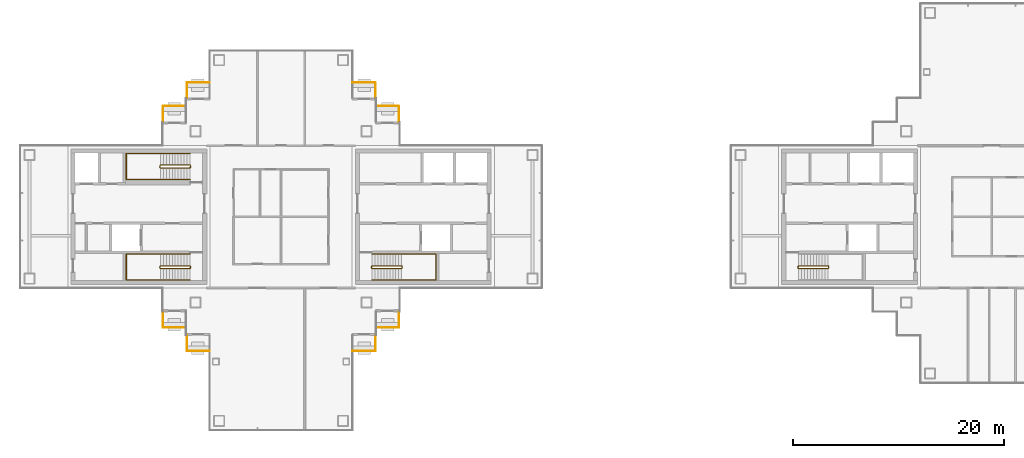
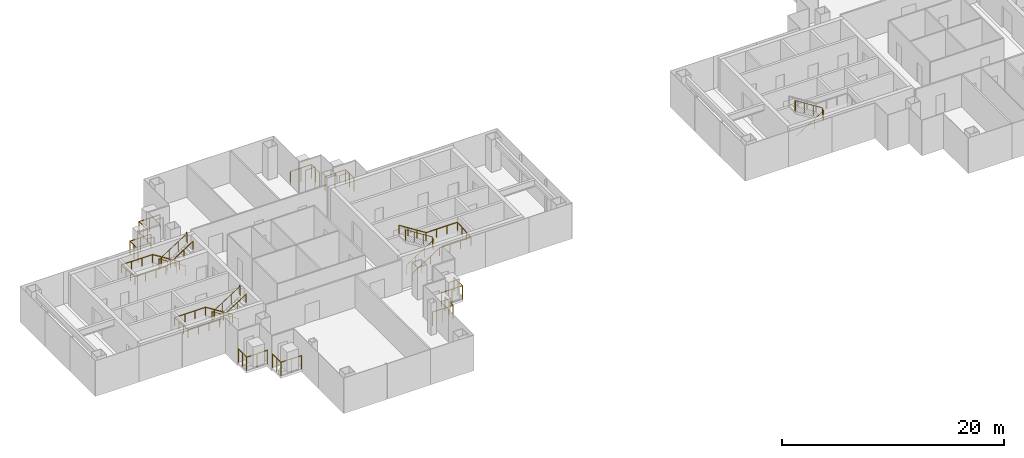
# One storey, part 13 of 15: 15 railings.
"""IFC4 building model written with IfcOpenShell, lengths in metres."""

from ifc_helpers import new_model, si_unit, direction, frame, origin, origin_2d, place, context, subcontext, project, spatial, circle, extrude, material, type_object, element, save


model = new_model("IFC4")

# Units and contexts
model_context = context("Model", 3, precision=1e-05, world=origin(), true_north=direction((0.0, 1.0)))
body_context = subcontext(model_context, "Body", "Model", "MODEL_VIEW")
ifc_project = project(units=[si_unit("LENGTHUNIT", "METRE"), si_unit("AREAUNIT", "SQUARE_METRE"), si_unit("VOLUMEUNIT", "CUBIC_METRE"), si_unit("PLANEANGLEUNIT", "RADIAN"), si_unit("MASSUNIT", "GRAM", prefix="KILO")], contexts=[model_context])

# Site, building, storey
site_placement = place(None, origin())
site = spatial("IfcSite", under=ifc_project, at=site_placement, CompositionType="ELEMENT")
building_placement = place(site_placement, origin())
building = spatial("IfcBuilding", under=site, at=building_placement, Name="Shamsa Quay Exchange Towers", CompositionType="ELEMENT")
storey_placement = place(building_placement, frame((0.0, 0.0, 202.199951171875)))
storey = spatial("IfcBuildingStorey", under=building, at=storey_placement, Name="L48", CompositionType="ELEMENT", Elevation=202.199951171875)

# Railings
ifc_material_1 = material(Name="Steel S355, black powder-coated", Category="steel")
railing_type_1 = type_object("IfcRailingType", Name="BALCONY GUARD 1500", PredefinedType="GUARDRAIL", material=ifc_material_1)
for number, where, name in (
    (1, (-22.550048828125, 9.02099609375, 0.0), "Balcony guard T1-PKEN L48"),
    (2, (-24.800048828125, 11.27099609375, 0.0), "Balcony guard T1-PKEN L48"),
):
    element("IfcRailing", number, at=place(storey_placement, frame(where)), inside=storey, type_object=railing_type_1, Name=name, PredefinedType="GUARDRAIL", context=body_context, shape_type="SweptSolid", body=[
        extrude(circle(Radius=0.02392578125, at=origin_2d()), frame((0.0, 0.0, 1.47607421875), z_axis=(0.0, 1.0, 0.0), x_axis=(-1.0, 0.0, 0.0)), (0.0, 0.0, 1.0), 1.47900390625),
        extrude(circle(Radius=0.02392578125, at=origin_2d()), frame((0.0, 1.47900390625, 1.47607421875), z_axis=(-1.0, 0.0, 0.0), x_axis=(0.0, -1.0, 0.0)), (0.0, 0.0, 1.0), 2.161865234375),
        extrude(circle(Radius=0.02099609375, at=origin_2d()), origin(), (0.0, 0.0, 1.0), 1.451904296875),
        extrude(circle(Radius=0.02099609375, at=origin_2d()), frame((0.0, 0.739501953125, 0.0)), (0.0, 0.0, 1.0), 1.451904296875),
        extrude(circle(Radius=0.02099609375, at=origin_2d()), frame((0.0, 1.47900390625, 0.0)), (0.0, 0.0, 1.0), 1.451904296875),
        extrude(circle(Radius=0.02099609375, at=origin_2d()), frame((-1.0810546875, 1.47900390625, 0.0)), (0.0, 0.0, 1.0), 1.451904296875),
        extrude(circle(Radius=0.02099609375, at=origin_2d()), frame((-2.161865234375, 1.47900390625, 0.0)), (0.0, 0.0, 1.0), 1.451904296875),
    ])
for number, where, name in (
    (3, (-24.7119140625, -10.5, 0.0), "Balcony guard T1-PKES L48"),
    (4, (-26.9619140625, -12.75, 0.0), "Balcony guard T1-PKES L48"),
):
    element("IfcRailing", number, at=place(storey_placement, frame(where)), inside=storey, type_object=railing_type_1, Name=name, PredefinedType="GUARDRAIL", context=body_context, shape_type="SweptSolid", body=[
        extrude(circle(Radius=0.02392578125, at=origin_2d()), frame((0.0, 0.0, 1.47607421875), z_axis=(1.0, 0.0, 0.0), x_axis=(0.0, 1.0, 0.0)), (0.0, 0.0, 1.0), 2.161865234375),
        extrude(circle(Radius=0.02392578125, at=origin_2d()), frame((2.161865234375, 0.0, 1.47607421875), z_axis=(0.0, 1.0, 0.0), x_axis=(-1.0, 0.0, 0.0)), (0.0, 0.0, 1.0), 1.47900390625),
        extrude(circle(Radius=0.02099609375, at=origin_2d()), origin(), (0.0, 0.0, 1.0), 1.451904296875),
        extrude(circle(Radius=0.02099609375, at=origin_2d()), frame((1.0810546875, 0.0, 0.0)), (0.0, 0.0, 1.0), 1.451904296875),
        extrude(circle(Radius=0.02099609375, at=origin_2d()), frame((2.161865234375, 0.0, 0.0)), (0.0, 0.0, 1.0), 1.451904296875),
        extrude(circle(Radius=0.02099609375, at=origin_2d()), frame((2.161865234375, 0.739501953125, 0.0)), (0.0, 0.0, 1.0), 1.451904296875),
        extrude(circle(Radius=0.02099609375, at=origin_2d()), frame((2.161865234375, 1.47900390625, 0.0)), (0.0, 0.0, 1.0), 1.451904296875),
    ])
for number, where, name in (
    (5, (-40.5380859375, 12.75, 0.0), "Balcony guard T1-PKWN L48"),
    (6, (-42.7880859375, 10.5, 0.0), "Balcony guard T1-PKWN L48"),
):
    element("IfcRailing", number, at=place(storey_placement, frame(where)), inside=storey, type_object=railing_type_1, Name=name, PredefinedType="GUARDRAIL", context=body_context, shape_type="SweptSolid", body=[
        extrude(circle(Radius=0.02392578125, at=origin_2d()), frame((0.0, 0.0, 1.47607421875), z_axis=(-1.0, 0.0, 0.0), x_axis=(0.0, -1.0, 0.0)), (0.0, 0.0, 1.0), 2.161865234375),
        extrude(circle(Radius=0.02392578125, at=origin_2d()), frame((-2.161865234375, 0.0, 1.47607421875), z_axis=(0.0, -1.0, 0.0), x_axis=(1.0, 0.0, 0.0)), (0.0, 0.0, 1.0), 1.47900390625),
        extrude(circle(Radius=0.02099609375, at=origin_2d()), origin(), (0.0, 0.0, 1.0), 1.451904296875),
        extrude(circle(Radius=0.02099609375, at=origin_2d()), frame((-1.0810546875, 0.0, 0.0)), (0.0, 0.0, 1.0), 1.451904296875),
        extrude(circle(Radius=0.02099609375, at=origin_2d()), frame((-2.161865234375, 0.0, 0.0)), (0.0, 0.0, 1.0), 1.451904296875),
        extrude(circle(Radius=0.02099609375, at=origin_2d()), frame((-2.161865234375, -0.739501953125, 0.0)), (0.0, 0.0, 1.0), 1.451904296875),
        extrude(circle(Radius=0.02099609375, at=origin_2d()), frame((-2.161865234375, -1.47900390625, 0.0)), (0.0, 0.0, 1.0), 1.451904296875),
    ])
for number, where, name in (
    (7, (-44.949951171875, -9.02099609375, 0.0), "Balcony guard T1-PKWS L48"),
    (8, (-42.699951171875, -11.27099609375, 0.0), "Balcony guard T1-PKWS L48"),
):
    element("IfcRailing", number, at=place(storey_placement, frame(where)), inside=storey, type_object=railing_type_1, Name=name, PredefinedType="GUARDRAIL", context=body_context, shape_type="SweptSolid", body=[
        extrude(circle(Radius=0.02392578125, at=origin_2d()), frame((0.0, 0.0, 1.47607421875), z_axis=(0.0, -1.0, 0.0), x_axis=(1.0, 0.0, 0.0)), (0.0, 0.0, 1.0), 1.47900390625),
        extrude(circle(Radius=0.02392578125, at=origin_2d()), frame((0.0, -1.47900390625, 1.47607421875), z_axis=(1.0, 0.0, 0.0), x_axis=(0.0, 1.0, 0.0)), (0.0, 0.0, 1.0), 2.161865234375),
        extrude(circle(Radius=0.02099609375, at=origin_2d()), origin(), (0.0, 0.0, 1.0), 1.451904296875),
        extrude(circle(Radius=0.02099609375, at=origin_2d()), frame((0.0, -0.739501953125, 0.0)), (0.0, 0.0, 1.0), 1.451904296875),
        extrude(circle(Radius=0.02099609375, at=origin_2d()), frame((0.0, -1.47900390625, 0.0)), (0.0, 0.0, 1.0), 1.451904296875),
        extrude(circle(Radius=0.02099609375, at=origin_2d()), frame((1.0810546875, -1.47900390625, 0.0)), (0.0, 0.0, 1.0), 1.451904296875),
        extrude(circle(Radius=0.02099609375, at=origin_2d()), frame((2.161865234375, -1.47900390625, 0.0)), (0.0, 0.0, 1.0), 1.451904296875),
    ])
ifc_material_2 = material(Name="Stainless steel", Category="steel")
railing_type_2 = type_object("IfcRailingType", Name="STAIR GUARD 1100", PredefinedType="GUARDRAIL", material=ifc_material_2)
railing_1_placement = place(storey_placement, frame((-25.10009765625, -4.89990234375, 0.17724609375)))
element("IfcRailing", 9, at=railing_1_placement, inside=storey, type_object=railing_type_2, Name="L48 ST1 stair guard 1", PredefinedType="GUARDRAIL", context=body_context, shape_type="SweptSolid", body=[
    extrude(circle(Radius=0.02392578125, at=origin_2d()), frame((0.0, 0.0, 1.076171875), z_axis=(0.844908973607, 0.0, 0.534910110503), x_axis=(0.0, 1.0, 0.0)), (0.0, 0.0, 1.0), 3.31396484375),
    extrude(circle(Radius=0.02392578125, at=origin_2d()), frame((2.800048828125, 0.0, 2.8486328125), z_axis=(0.708833529934, 0.705375805398, 0.0), x_axis=(-0.705375805398, 0.708833529934, 0.0)), (0.0, 0.0, 1.0), 0.070556640625),
    extrude(circle(Radius=0.02392578125, at=origin_2d()), frame((2.85009765625, 0.0498046875, 2.8486328125), z_axis=(0.0, 1.0, 0.0), x_axis=(-1.0, 0.0, 0.0)), (0.0, 0.0, 1.0), 0.150146484375),
    extrude(circle(Radius=0.02392578125, at=origin_2d()), frame((2.85009765625, 0.199951171875, 2.8486328125), z_axis=(-0.261922500866, 0.261922500866, 0.928866625022), x_axis=(-0.707106781187, -0.707106781187, 0.0)), (0.0, 0.0, 1.0), 0.191162109375),
    extrude(circle(Radius=0.02392578125, at=origin_2d()), frame((2.800048828125, 0.25, 3.0263671875), z_axis=(-0.844908973607, 0.0, 0.534910110503), x_axis=(0.0, -1.0, 0.0)), (0.0, 0.0, 1.0), 3.31396484375),
    extrude(circle(Radius=0.02392578125, at=origin_2d()), frame((0.0, 0.25, 4.798828125), z_axis=(-0.24142163986, -0.970420317083, 0.0), x_axis=(0.970420317083, -0.24142163986, 0.0)), (0.0, 0.0, 1.0), 0.206298828125),
    extrude(circle(Radius=0.02392578125, at=origin_2d()), frame((-0.0498046875, 0.0498046875, 4.798828125), z_axis=(0.0, 1.0, 0.0), x_axis=(-1.0, 0.0, 0.0)), (0.0, 0.0, 1.0), 0.150146484375),
    extrude(circle(Radius=0.02099609375, at=origin_2d()), origin(), (0.0, 0.0, 1.0), 1.052001953125),
    extrude(circle(Radius=0.02099609375, at=origin_2d()), frame((0.933349609375, 0.0, 0.5908203125)), (0.0, 0.0, 1.0), 1.052001953125),
    extrude(circle(Radius=0.02099609375, at=origin_2d()), frame((1.86669921875, 0.0, 1.181884765625)), (0.0, 0.0, 1.0), 1.052001953125),
    extrude(circle(Radius=0.02099609375, at=origin_2d()), frame((2.800048828125, 0.0, 1.772705078125)), (0.0, 0.0, 1.0), 1.052001953125),
    extrude(circle(Radius=0.02099609375, at=origin_2d()), frame((2.85009765625, 0.0498046875, 1.772705078125)), (0.0, 0.0, 1.0), 1.052001953125),
    extrude(circle(Radius=0.02099609375, at=origin_2d()), frame((2.85009765625, 0.199951171875, 1.772705078125)), (0.0, 0.0, 1.0), 1.052001953125),
    extrude(circle(Radius=0.02099609375, at=origin_2d()), frame((2.800048828125, 0.25, 1.9501953125)), (0.0, 0.0, 1.0), 1.052001953125),
    extrude(circle(Radius=0.02099609375, at=origin_2d()), frame((1.86669921875, 0.25, 2.541015625)), (0.0, 0.0, 1.0), 1.052001953125),
    extrude(circle(Radius=0.02099609375, at=origin_2d()), frame((0.933349609375, 0.25, 3.132080078125)), (0.0, 0.0, 1.0), 1.052001953125),
    extrude(circle(Radius=0.02099609375, at=origin_2d()), frame((0.0, 0.25, 3.722900390625)), (0.0, 0.0, 1.0), 1.052001953125),
    extrude(circle(Radius=0.02099609375, at=origin_2d()), frame((-0.0498046875, 0.0498046875, 3.722900390625)), (0.0, 0.0, 1.0), 1.052001953125),
    extrude(circle(Radius=0.02099609375, at=origin_2d()), frame((-0.0498046875, 0.199951171875, 3.722900390625)), (0.0, 0.0, 1.0), 1.052001953125),
])
railing_2_placement = place(storey_placement, frame((-42.39990234375, -4.64990234375, 0.17724609375)))
element("IfcRailing", 10, at=railing_2_placement, inside=storey, type_object=railing_type_2, Name="L48 ST2 stair guard 1", PredefinedType="GUARDRAIL", context=body_context, shape_type="SweptSolid", body=[
    extrude(circle(Radius=0.02392578125, at=origin_2d()), frame((0.0, 0.0, 1.076171875), z_axis=(-0.844908973607, 0.0, 0.534910110503), x_axis=(0.0, -1.0, 0.0)), (0.0, 0.0, 1.0), 3.31396484375),
    extrude(circle(Radius=0.02392578125, at=origin_2d()), frame((-2.800048828125, 0.0, 2.8486328125), z_axis=(-0.707106781187, -0.707106781187, 0.0), x_axis=(0.707106781187, -0.707106781187, 0.0)), (0.0, 0.0, 1.0), 0.07080078125),
    extrude(circle(Radius=0.02392578125, at=origin_2d()), frame((-2.85009765625, -0.050048828125, 2.8486328125), z_axis=(0.0, -1.0, 0.0), x_axis=(1.0, 0.0, 0.0)), (0.0, 0.0, 1.0), 0.150146484375),
    extrude(circle(Radius=0.02392578125, at=origin_2d()), frame((-2.85009765625, -0.2001953125, 2.8486328125), z_axis=(0.262009983441, -0.260731885961, 0.929176868105), x_axis=(0.705375805398, 0.708833529934, 0.0)), (0.0, 0.0, 1.0), 0.19091796875),
    extrude(circle(Radius=0.02392578125, at=origin_2d()), frame((-2.800048828125, -0.25, 3.0263671875), z_axis=(0.844908973607, 0.0, 0.534910110503), x_axis=(0.0, 1.0, 0.0)), (0.0, 0.0, 1.0), 3.31396484375),
    extrude(circle(Radius=0.02392578125, at=origin_2d()), frame((0.0, -0.25, 4.798828125), z_axis=(0.241699205484, 0.970351222016, 0.0), x_axis=(-0.970351222016, 0.241699205484, 0.0)), (0.0, 0.0, 1.0), 0.2060546875),
    extrude(circle(Radius=0.02392578125, at=origin_2d()), frame((0.0498046875, -0.050048828125, 4.798828125), z_axis=(0.0, -1.0, 0.0), x_axis=(1.0, 0.0, 0.0)), (0.0, 0.0, 1.0), 0.150146484375),
    extrude(circle(Radius=0.02099609375, at=origin_2d()), origin(), (0.0, 0.0, 1.0), 1.052001953125),
    extrude(circle(Radius=0.02099609375, at=origin_2d()), frame((-0.933349609375, 0.0, 0.5908203125)), (0.0, 0.0, 1.0), 1.052001953125),
    extrude(circle(Radius=0.02099609375, at=origin_2d()), frame((-1.86669921875, 0.0, 1.181884765625)), (0.0, 0.0, 1.0), 1.052001953125),
    extrude(circle(Radius=0.02099609375, at=origin_2d()), frame((-2.800048828125, 0.0, 1.772705078125)), (0.0, 0.0, 1.0), 1.052001953125),
    extrude(circle(Radius=0.02099609375, at=origin_2d()), frame((-2.85009765625, -0.050048828125, 1.772705078125)), (0.0, 0.0, 1.0), 1.052001953125),
    extrude(circle(Radius=0.02099609375, at=origin_2d()), frame((-2.85009765625, -0.2001953125, 1.772705078125)), (0.0, 0.0, 1.0), 1.052001953125),
    extrude(circle(Radius=0.02099609375, at=origin_2d()), frame((-2.800048828125, -0.25, 1.9501953125)), (0.0, 0.0, 1.0), 1.052001953125),
    extrude(circle(Radius=0.02099609375, at=origin_2d()), frame((-1.86669921875, -0.25, 2.541015625)), (0.0, 0.0, 1.0), 1.052001953125),
    extrude(circle(Radius=0.02099609375, at=origin_2d()), frame((-0.933349609375, -0.25, 3.132080078125)), (0.0, 0.0, 1.0), 1.052001953125),
    extrude(circle(Radius=0.02099609375, at=origin_2d()), frame((0.0, -0.25, 3.722900390625)), (0.0, 0.0, 1.0), 1.052001953125),
    extrude(circle(Radius=0.02099609375, at=origin_2d()), frame((0.0498046875, -0.050048828125, 3.722900390625)), (0.0, 0.0, 1.0), 1.052001953125),
    extrude(circle(Radius=0.02099609375, at=origin_2d()), frame((0.0498046875, -0.2001953125, 3.722900390625)), (0.0, 0.0, 1.0), 1.052001953125),
])
railing_3_placement = place(storey_placement, frame((-42.39990234375, 4.89990234375, 0.17724609375)))
element("IfcRailing", 11, at=railing_3_placement, inside=storey, type_object=railing_type_2, Name="L48 ST3 stair guard 1", PredefinedType="GUARDRAIL", context=body_context, shape_type="SweptSolid", body=[
    extrude(circle(Radius=0.02392578125, at=origin_2d()), frame((0.0, 0.0, 1.076171875), z_axis=(-0.844908973607, 0.0, 0.534910110503), x_axis=(0.0, -1.0, 0.0)), (0.0, 0.0, 1.0), 3.31396484375),
    extrude(circle(Radius=0.02392578125, at=origin_2d()), frame((-2.800048828125, 0.0, 2.8486328125), z_axis=(-0.708833529934, -0.705375805398, 0.0), x_axis=(0.705375805398, -0.708833529934, 0.0)), (0.0, 0.0, 1.0), 0.070556640625),
    extrude(circle(Radius=0.02392578125, at=origin_2d()), frame((-2.85009765625, -0.0498046875, 2.8486328125), z_axis=(0.0, -1.0, 0.0), x_axis=(1.0, 0.0, 0.0)), (0.0, 0.0, 1.0), 0.150146484375),
    extrude(circle(Radius=0.02392578125, at=origin_2d()), frame((-2.85009765625, -0.199951171875, 2.8486328125), z_axis=(0.261922500866, -0.261922500866, 0.928866625022), x_axis=(0.707106781187, 0.707106781187, 0.0)), (0.0, 0.0, 1.0), 0.191162109375),
    extrude(circle(Radius=0.02392578125, at=origin_2d()), frame((-2.800048828125, -0.25, 3.0263671875), z_axis=(0.844908973607, 0.0, 0.534910110503), x_axis=(0.0, 1.0, 0.0)), (0.0, 0.0, 1.0), 3.31396484375),
    extrude(circle(Radius=0.02392578125, at=origin_2d()), frame((0.0, -0.25, 4.798828125), z_axis=(0.24142163986, 0.970420317083, 0.0), x_axis=(-0.970420317083, 0.24142163986, 0.0)), (0.0, 0.0, 1.0), 0.206298828125),
    extrude(circle(Radius=0.02392578125, at=origin_2d()), frame((0.0498046875, -0.0498046875, 4.798828125), z_axis=(0.0, -1.0, 0.0), x_axis=(1.0, 0.0, 0.0)), (0.0, 0.0, 1.0), 0.150146484375),
    extrude(circle(Radius=0.02099609375, at=origin_2d()), origin(), (0.0, 0.0, 1.0), 1.052001953125),
    extrude(circle(Radius=0.02099609375, at=origin_2d()), frame((-0.933349609375, 0.0, 0.5908203125)), (0.0, 0.0, 1.0), 1.052001953125),
    extrude(circle(Radius=0.02099609375, at=origin_2d()), frame((-1.86669921875, 0.0, 1.181884765625)), (0.0, 0.0, 1.0), 1.052001953125),
    extrude(circle(Radius=0.02099609375, at=origin_2d()), frame((-2.800048828125, 0.0, 1.772705078125)), (0.0, 0.0, 1.0), 1.052001953125),
    extrude(circle(Radius=0.02099609375, at=origin_2d()), frame((-2.85009765625, -0.0498046875, 1.772705078125)), (0.0, 0.0, 1.0), 1.052001953125),
    extrude(circle(Radius=0.02099609375, at=origin_2d()), frame((-2.85009765625, -0.199951171875, 1.772705078125)), (0.0, 0.0, 1.0), 1.052001953125),
    extrude(circle(Radius=0.02099609375, at=origin_2d()), frame((-2.800048828125, -0.25, 1.9501953125)), (0.0, 0.0, 1.0), 1.052001953125),
    extrude(circle(Radius=0.02099609375, at=origin_2d()), frame((-1.86669921875, -0.25, 2.541015625)), (0.0, 0.0, 1.0), 1.052001953125),
    extrude(circle(Radius=0.02099609375, at=origin_2d()), frame((-0.933349609375, -0.25, 3.132080078125)), (0.0, 0.0, 1.0), 1.052001953125),
    extrude(circle(Radius=0.02099609375, at=origin_2d()), frame((0.0, -0.25, 3.722900390625)), (0.0, 0.0, 1.0), 1.052001953125),
    extrude(circle(Radius=0.02099609375, at=origin_2d()), frame((0.0498046875, -0.0498046875, 3.722900390625)), (0.0, 0.0, 1.0), 1.052001953125),
    extrude(circle(Radius=0.02099609375, at=origin_2d()), frame((0.0498046875, -0.199951171875, 3.722900390625)), (0.0, 0.0, 1.0), 1.052001953125),
])
railing_4_placement = place(storey_placement, frame((15.39990234375, -4.89990234375, 0.17724609375)))
element("IfcRailing", 12, at=railing_4_placement, inside=storey, type_object=railing_type_2, Name="L48 ST4 stair guard 1", PredefinedType="GUARDRAIL", context=body_context, shape_type="SweptSolid", body=[
    extrude(circle(Radius=0.02392578125, at=origin_2d()), frame((0.0, 0.0, 1.076171875), z_axis=(0.844908973607, 0.0, 0.534910110503), x_axis=(0.0, 1.0, 0.0)), (0.0, 0.0, 1.0), 3.31396484375),
    extrude(circle(Radius=0.02392578125, at=origin_2d()), frame((2.800048828125, 0.0, 2.8486328125), z_axis=(0.708833529934, 0.705375805398, 0.0), x_axis=(-0.705375805398, 0.708833529934, 0.0)), (0.0, 0.0, 1.0), 0.070556640625),
    extrude(circle(Radius=0.02392578125, at=origin_2d()), frame((2.85009765625, 0.0498046875, 2.8486328125), z_axis=(0.0, 1.0, 0.0), x_axis=(-1.0, 0.0, 0.0)), (0.0, 0.0, 1.0), 0.150146484375),
    extrude(circle(Radius=0.02392578125, at=origin_2d()), frame((2.85009765625, 0.199951171875, 2.8486328125), z_axis=(-0.261922500866, 0.261922500866, 0.928866625022), x_axis=(-0.707106781187, -0.707106781187, 0.0)), (0.0, 0.0, 1.0), 0.191162109375),
    extrude(circle(Radius=0.02392578125, at=origin_2d()), frame((2.800048828125, 0.25, 3.0263671875), z_axis=(-0.844908973607, 0.0, 0.534910110503), x_axis=(0.0, -1.0, 0.0)), (0.0, 0.0, 1.0), 3.31396484375),
    extrude(circle(Radius=0.02392578125, at=origin_2d()), frame((0.0, 0.25, 4.798828125), z_axis=(-0.24142163986, -0.970420317083, 0.0), x_axis=(0.970420317083, -0.24142163986, 0.0)), (0.0, 0.0, 1.0), 0.206298828125),
    extrude(circle(Radius=0.02392578125, at=origin_2d()), frame((-0.0498046875, 0.0498046875, 4.798828125), z_axis=(0.0, 1.0, 0.0), x_axis=(-1.0, 0.0, 0.0)), (0.0, 0.0, 1.0), 0.150146484375),
    extrude(circle(Radius=0.02099609375, at=origin_2d()), origin(), (0.0, 0.0, 1.0), 1.052001953125),
    extrude(circle(Radius=0.02099609375, at=origin_2d()), frame((0.933349609375, 0.0, 0.5908203125)), (0.0, 0.0, 1.0), 1.052001953125),
    extrude(circle(Radius=0.02099609375, at=origin_2d()), frame((1.86669921875, 0.0, 1.181884765625)), (0.0, 0.0, 1.0), 1.052001953125),
    extrude(circle(Radius=0.02099609375, at=origin_2d()), frame((2.800048828125, 0.0, 1.772705078125)), (0.0, 0.0, 1.0), 1.052001953125),
    extrude(circle(Radius=0.02099609375, at=origin_2d()), frame((2.85009765625, 0.0498046875, 1.772705078125)), (0.0, 0.0, 1.0), 1.052001953125),
    extrude(circle(Radius=0.02099609375, at=origin_2d()), frame((2.85009765625, 0.199951171875, 1.772705078125)), (0.0, 0.0, 1.0), 1.052001953125),
    extrude(circle(Radius=0.02099609375, at=origin_2d()), frame((2.800048828125, 0.25, 1.9501953125)), (0.0, 0.0, 1.0), 1.052001953125),
    extrude(circle(Radius=0.02099609375, at=origin_2d()), frame((1.86669921875, 0.25, 2.541015625)), (0.0, 0.0, 1.0), 1.052001953125),
    extrude(circle(Radius=0.02099609375, at=origin_2d()), frame((0.933349609375, 0.25, 3.132080078125)), (0.0, 0.0, 1.0), 1.052001953125),
    extrude(circle(Radius=0.02099609375, at=origin_2d()), frame((0.0, 0.25, 3.722900390625)), (0.0, 0.0, 1.0), 1.052001953125),
    extrude(circle(Radius=0.02099609375, at=origin_2d()), frame((-0.0498046875, 0.0498046875, 3.722900390625)), (0.0, 0.0, 1.0), 1.052001953125),
    extrude(circle(Radius=0.02099609375, at=origin_2d()), frame((-0.0498046875, 0.199951171875, 3.722900390625)), (0.0, 0.0, 1.0), 1.052001953125),
])
railing_type_3 = type_object("IfcRailingType", Name="STAIR HANDRAIL 900", PredefinedType="HANDRAIL", material=ifc_material_2)
railing_5_placement = place(storey_placement, frame((-25.10009765625, -6.0, 0.17724609375)))
element("IfcRailing", 13, at=railing_5_placement, inside=storey, type_object=railing_type_3, Name="L48 ST1 stair handrail 1", PredefinedType="HANDRAIL", context=body_context, shape_type="SweptSolid", body=[
    extrude(circle(Radius=0.02392578125, at=origin_2d()), frame((0.0, 0.0, 0.8759765625), z_axis=(0.844908973607, 0.0, 0.534910110503), x_axis=(0.0, 1.0, 0.0)), (0.0, 0.0, 1.0), 3.31396484375),
    extrude(circle(Radius=0.02392578125, at=origin_2d()), frame((2.800048828125, 0.0, 2.6484375), z_axis=(1.0, 0.0, 0.0), x_axis=(0.0, 1.0, 0.0)), (0.0, 0.0, 1.0), 3.25),
    extrude(circle(Radius=0.02392578125, at=origin_2d()), frame((6.050048828125, 0.0, 2.6484375), z_axis=(0.0, 0.997386041853, 0.072257065513), x_axis=(-1.0, 0.0, 0.0)), (0.0, 0.0, 1.0), 2.456298828125),
    extrude(circle(Radius=0.02392578125, at=origin_2d()), frame((6.050048828125, 2.449951171875, 2.826171875), z_axis=(-1.0, 0.0, 0.0), x_axis=(0.0, -1.0, 0.0)), (0.0, 0.0, 1.0), 3.25),
    extrude(circle(Radius=0.02392578125, at=origin_2d()), frame((2.800048828125, 2.449951171875, 2.826171875), z_axis=(-0.844908973607, 0.0, 0.534910110503), x_axis=(0.0, -1.0, 0.0)), (0.0, 0.0, 1.0), 3.31396484375),
    extrude(circle(Radius=0.02099609375, at=origin_2d()), origin(), (0.0, 0.0, 1.0), 0.851806640625),
    extrude(circle(Radius=0.02099609375, at=origin_2d()), frame((0.933349609375, 0.0, 0.5908203125)), (0.0, 0.0, 1.0), 0.851806640625),
    extrude(circle(Radius=0.02099609375, at=origin_2d()), frame((1.86669921875, 0.0, 1.181884765625)), (0.0, 0.0, 1.0), 0.851806640625),
    extrude(circle(Radius=0.02099609375, at=origin_2d()), frame((2.800048828125, 0.0, 1.772705078125)), (0.0, 0.0, 1.0), 0.851806640625),
    extrude(circle(Radius=0.02099609375, at=origin_2d()), frame((3.88330078125, 0.0, 1.772705078125)), (0.0, 0.0, 1.0), 0.851806640625),
    extrude(circle(Radius=0.02099609375, at=origin_2d()), frame((4.966796875, 0.0, 1.772705078125)), (0.0, 0.0, 1.0), 0.851806640625),
    extrude(circle(Radius=0.02099609375, at=origin_2d()), frame((6.050048828125, 0.0, 1.772705078125)), (0.0, 0.0, 1.0), 0.851806640625),
    extrude(circle(Radius=0.02099609375, at=origin_2d()), frame((6.050048828125, 0.816650390625, 1.831787109375)), (0.0, 0.0, 1.0), 0.851806640625),
    extrude(circle(Radius=0.02099609375, at=origin_2d()), frame((6.050048828125, 1.63330078125, 1.89111328125)), (0.0, 0.0, 1.0), 0.851806640625),
    extrude(circle(Radius=0.02099609375, at=origin_2d()), frame((6.050048828125, 2.449951171875, 1.9501953125)), (0.0, 0.0, 1.0), 0.851806640625),
    extrude(circle(Radius=0.02099609375, at=origin_2d()), frame((4.966796875, 2.449951171875, 1.9501953125)), (0.0, 0.0, 1.0), 0.851806640625),
    extrude(circle(Radius=0.02099609375, at=origin_2d()), frame((3.88330078125, 2.449951171875, 1.9501953125)), (0.0, 0.0, 1.0), 0.851806640625),
    extrude(circle(Radius=0.02099609375, at=origin_2d()), frame((2.800048828125, 2.449951171875, 1.9501953125)), (0.0, 0.0, 1.0), 0.851806640625),
    extrude(circle(Radius=0.02099609375, at=origin_2d()), frame((1.86669921875, 2.449951171875, 2.541015625)), (0.0, 0.0, 1.0), 0.851806640625),
    extrude(circle(Radius=0.02099609375, at=origin_2d()), frame((0.933349609375, 2.449951171875, 3.132080078125)), (0.0, 0.0, 1.0), 0.851806640625),
    extrude(circle(Radius=0.02099609375, at=origin_2d()), frame((0.0, 2.449951171875, 3.722900390625)), (0.0, 0.0, 1.0), 0.851806640625),
])
railing_6_placement = place(storey_placement, frame((-42.39990234375, -3.550048828125, 0.17724609375)))
element("IfcRailing", 14, at=railing_6_placement, inside=storey, type_object=railing_type_3, Name="L48 ST2 stair handrail 1", PredefinedType="HANDRAIL", context=body_context, shape_type="SweptSolid", body=[
    extrude(circle(Radius=0.02392578125, at=origin_2d()), frame((0.0, 0.0, 0.8759765625), z_axis=(-0.844908973607, 0.0, 0.534910110503), x_axis=(0.0, -1.0, 0.0)), (0.0, 0.0, 1.0), 3.31396484375),
    extrude(circle(Radius=0.02392578125, at=origin_2d()), frame((-2.800048828125, 0.0, 2.6484375), z_axis=(-1.0, 0.0, 0.0), x_axis=(0.0, -1.0, 0.0)), (0.0, 0.0, 1.0), 3.25),
    extrude(circle(Radius=0.02392578125, at=origin_2d()), frame((-6.050048828125, 0.0, 2.6484375), z_axis=(0.0, -0.997386041853, 0.072257065513), x_axis=(1.0, 0.0, 0.0)), (0.0, 0.0, 1.0), 2.456298828125),
    extrude(circle(Radius=0.02392578125, at=origin_2d()), frame((-6.050048828125, -2.449951171875, 2.826171875), z_axis=(1.0, 0.0, 0.0), x_axis=(0.0, 1.0, 0.0)), (0.0, 0.0, 1.0), 3.25),
    extrude(circle(Radius=0.02392578125, at=origin_2d()), frame((-2.800048828125, -2.449951171875, 2.826171875), z_axis=(0.844908973607, 0.0, 0.534910110503), x_axis=(0.0, 1.0, 0.0)), (0.0, 0.0, 1.0), 3.31396484375),
    extrude(circle(Radius=0.02099609375, at=origin_2d()), origin(), (0.0, 0.0, 1.0), 0.851806640625),
    extrude(circle(Radius=0.02099609375, at=origin_2d()), frame((-0.933349609375, 0.0, 0.5908203125)), (0.0, 0.0, 1.0), 0.851806640625),
    extrude(circle(Radius=0.02099609375, at=origin_2d()), frame((-1.86669921875, 0.0, 1.181884765625)), (0.0, 0.0, 1.0), 0.851806640625),
    extrude(circle(Radius=0.02099609375, at=origin_2d()), frame((-2.800048828125, 0.0, 1.772705078125)), (0.0, 0.0, 1.0), 0.851806640625),
    extrude(circle(Radius=0.02099609375, at=origin_2d()), frame((-3.88330078125, 0.0, 1.772705078125)), (0.0, 0.0, 1.0), 0.851806640625),
    extrude(circle(Radius=0.02099609375, at=origin_2d()), frame((-4.966796875, 0.0, 1.772705078125)), (0.0, 0.0, 1.0), 0.851806640625),
    extrude(circle(Radius=0.02099609375, at=origin_2d()), frame((-6.050048828125, 0.0, 1.772705078125)), (0.0, 0.0, 1.0), 0.851806640625),
    extrude(circle(Radius=0.02099609375, at=origin_2d()), frame((-6.050048828125, -0.816650390625, 1.831787109375)), (0.0, 0.0, 1.0), 0.851806640625),
    extrude(circle(Radius=0.02099609375, at=origin_2d()), frame((-6.050048828125, -1.63330078125, 1.89111328125)), (0.0, 0.0, 1.0), 0.851806640625),
    extrude(circle(Radius=0.02099609375, at=origin_2d()), frame((-6.050048828125, -2.449951171875, 1.9501953125)), (0.0, 0.0, 1.0), 0.851806640625),
    extrude(circle(Radius=0.02099609375, at=origin_2d()), frame((-4.966796875, -2.449951171875, 1.9501953125)), (0.0, 0.0, 1.0), 0.851806640625),
    extrude(circle(Radius=0.02099609375, at=origin_2d()), frame((-3.88330078125, -2.449951171875, 1.9501953125)), (0.0, 0.0, 1.0), 0.851806640625),
    extrude(circle(Radius=0.02099609375, at=origin_2d()), frame((-2.800048828125, -2.449951171875, 1.9501953125)), (0.0, 0.0, 1.0), 0.851806640625),
    extrude(circle(Radius=0.02099609375, at=origin_2d()), frame((-1.86669921875, -2.449951171875, 2.541015625)), (0.0, 0.0, 1.0), 0.851806640625),
    extrude(circle(Radius=0.02099609375, at=origin_2d()), frame((-0.933349609375, -2.449951171875, 3.132080078125)), (0.0, 0.0, 1.0), 0.851806640625),
    extrude(circle(Radius=0.02099609375, at=origin_2d()), frame((0.0, -2.449951171875, 3.722900390625)), (0.0, 0.0, 1.0), 0.851806640625),
])
railing_7_placement = place(storey_placement, frame((-42.39990234375, 6.0, 0.17724609375)))
element("IfcRailing", 15, at=railing_7_placement, inside=storey, type_object=railing_type_3, Name="L48 ST3 stair handrail 1", PredefinedType="HANDRAIL", context=body_context, shape_type="SweptSolid", body=[
    extrude(circle(Radius=0.02392578125, at=origin_2d()), frame((0.0, 0.0, 0.8759765625), z_axis=(-0.844908973607, 0.0, 0.534910110503), x_axis=(0.0, -1.0, 0.0)), (0.0, 0.0, 1.0), 3.31396484375),
    extrude(circle(Radius=0.02392578125, at=origin_2d()), frame((-2.800048828125, 0.0, 2.6484375), z_axis=(-1.0, 0.0, 0.0), x_axis=(0.0, -1.0, 0.0)), (0.0, 0.0, 1.0), 3.25),
    extrude(circle(Radius=0.02392578125, at=origin_2d()), frame((-6.050048828125, 0.0, 2.6484375), z_axis=(0.0, -0.997386041853, 0.072257065513), x_axis=(1.0, 0.0, 0.0)), (0.0, 0.0, 1.0), 2.456298828125),
    extrude(circle(Radius=0.02392578125, at=origin_2d()), frame((-6.050048828125, -2.449951171875, 2.826171875), z_axis=(1.0, 0.0, 0.0), x_axis=(0.0, 1.0, 0.0)), (0.0, 0.0, 1.0), 3.25),
    extrude(circle(Radius=0.02392578125, at=origin_2d()), frame((-2.800048828125, -2.449951171875, 2.826171875), z_axis=(0.844908973607, 0.0, 0.534910110503), x_axis=(0.0, 1.0, 0.0)), (0.0, 0.0, 1.0), 3.31396484375),
    extrude(circle(Radius=0.02099609375, at=origin_2d()), origin(), (0.0, 0.0, 1.0), 0.851806640625),
    extrude(circle(Radius=0.02099609375, at=origin_2d()), frame((-0.933349609375, 0.0, 0.5908203125)), (0.0, 0.0, 1.0), 0.851806640625),
    extrude(circle(Radius=0.02099609375, at=origin_2d()), frame((-1.86669921875, 0.0, 1.181884765625)), (0.0, 0.0, 1.0), 0.851806640625),
    extrude(circle(Radius=0.02099609375, at=origin_2d()), frame((-2.800048828125, 0.0, 1.772705078125)), (0.0, 0.0, 1.0), 0.851806640625),
    extrude(circle(Radius=0.02099609375, at=origin_2d()), frame((-3.88330078125, 0.0, 1.772705078125)), (0.0, 0.0, 1.0), 0.851806640625),
    extrude(circle(Radius=0.02099609375, at=origin_2d()), frame((-4.966796875, 0.0, 1.772705078125)), (0.0, 0.0, 1.0), 0.851806640625),
    extrude(circle(Radius=0.02099609375, at=origin_2d()), frame((-6.050048828125, 0.0, 1.772705078125)), (0.0, 0.0, 1.0), 0.851806640625),
    extrude(circle(Radius=0.02099609375, at=origin_2d()), frame((-6.050048828125, -0.816650390625, 1.831787109375)), (0.0, 0.0, 1.0), 0.851806640625),
    extrude(circle(Radius=0.02099609375, at=origin_2d()), frame((-6.050048828125, -1.63330078125, 1.89111328125)), (0.0, 0.0, 1.0), 0.851806640625),
    extrude(circle(Radius=0.02099609375, at=origin_2d()), frame((-6.050048828125, -2.449951171875, 1.9501953125)), (0.0, 0.0, 1.0), 0.851806640625),
    extrude(circle(Radius=0.02099609375, at=origin_2d()), frame((-4.966796875, -2.449951171875, 1.9501953125)), (0.0, 0.0, 1.0), 0.851806640625),
    extrude(circle(Radius=0.02099609375, at=origin_2d()), frame((-3.88330078125, -2.449951171875, 1.9501953125)), (0.0, 0.0, 1.0), 0.851806640625),
    extrude(circle(Radius=0.02099609375, at=origin_2d()), frame((-2.800048828125, -2.449951171875, 1.9501953125)), (0.0, 0.0, 1.0), 0.851806640625),
    extrude(circle(Radius=0.02099609375, at=origin_2d()), frame((-1.86669921875, -2.449951171875, 2.541015625)), (0.0, 0.0, 1.0), 0.851806640625),
    extrude(circle(Radius=0.02099609375, at=origin_2d()), frame((-0.933349609375, -2.449951171875, 3.132080078125)), (0.0, 0.0, 1.0), 0.851806640625),
    extrude(circle(Radius=0.02099609375, at=origin_2d()), frame((0.0, -2.449951171875, 3.722900390625)), (0.0, 0.0, 1.0), 0.851806640625),
])

save(model, "model.ifc")
